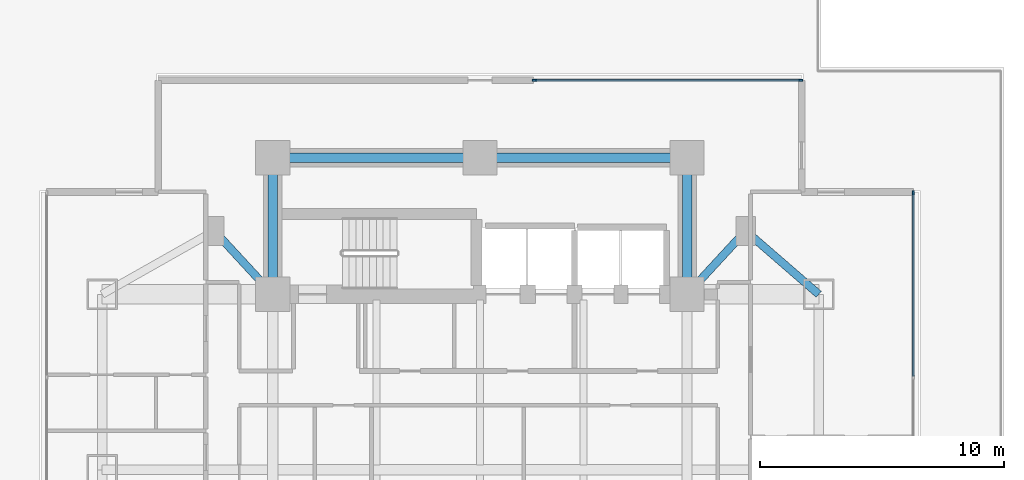
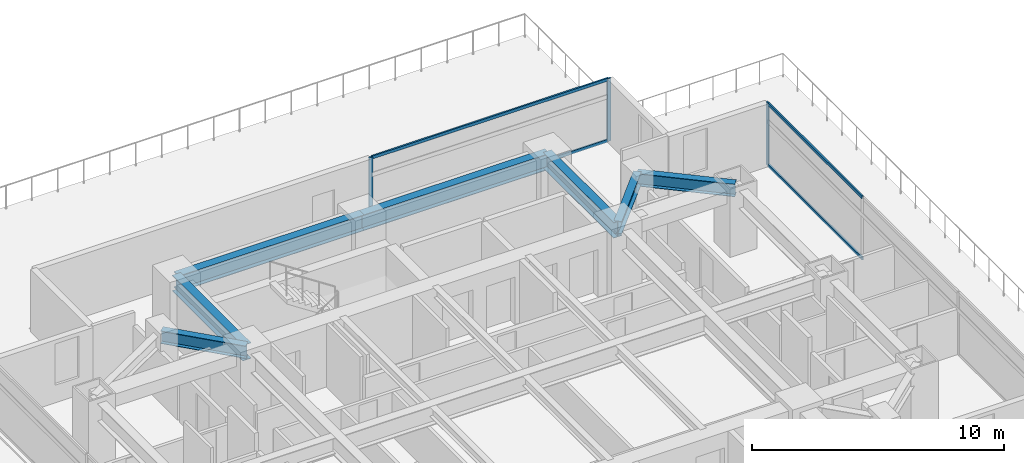
# One storey, part 10 of 26: 7 beams, 7 members, 2 elements without a shape of their own.
"""IFC4 building model written with IfcOpenShell, lengths in metres."""

import ifcopenshell
import ifcopenshell.guid

model = None  # the IFC model being written
_history = None  # IfcOwnerHistory: only IFC2X3 demands one
_inside = {}  # id of a spatial element -> (the spatial element, [elements in it])
_under = {}  # id of a project, library or spatial element -> (it, [spatial elements below it])
_declared = {}  # id of a project -> (the project, [libraries it declares])
_typed = {}  # id of a type object -> (the type object, [elements of that type])
_made_of = {}  # id of a material, layer set ... -> (it, [elements and type objects made of it])


def new_model(schema):
    """Start an empty IFC model of exactly this schema.

    Asked for "IFC4X3", IfcOpenShell would pick the latest addendum, in which some entities
    have other attributes; the version numbers below select the first issue.
    IFC2X3 requires an IfcOwnerHistory on every rooted entity: one is made here for all.
    """
    global model, _history
    if schema == "IFC4X3":
        model = ifcopenshell.file(schema_version=(4, 3, 0, 0))
    else:
        model = ifcopenshell.file(schema=schema)
    _inside.clear()
    _under.clear()
    _declared.clear()
    _typed.clear()
    _made_of.clear()
    _history = None
    if model.schema == "IFC2X3":
        org = make("IfcOrganization", Name="unknown")
        user = make(
            "IfcPersonAndOrganization",
            ThePerson=make("IfcPerson", FamilyName="unknown"),
            TheOrganization=org,
        )
        app = make(
            "IfcApplication",
            ApplicationDeveloper=org,
            Version="unknown",
            ApplicationFullName="unknown",
            ApplicationIdentifier="unknown",
        )
        _history = make(
            "IfcOwnerHistory",
            OwningUser=user,
            OwningApplication=app,
            ChangeAction="ADDED",
            CreationDate=0,
        )
    return model


def make(cls, **values):
    """One entity of the class cls with the attributes given. An attribute that is None is left unset."""
    return model.create_entity(
        cls, **{name: value for name, value in values.items() if value is not None}
    )


def rooted(cls, **values):
    """An entity with a GlobalId (a new one), such as an element, a storey or a relation."""
    return make(cls, GlobalId=ifcopenshell.guid.new(), OwnerHistory=_history, **values)


def si_unit(unit_type, name, prefix=None):
    """IfcSIUnit, for example si_unit("LENGTHUNIT", "METRE", prefix="MILLI")."""
    return make("IfcSIUnit", UnitType=unit_type, Prefix=prefix, Name=name)


def assignment(units):
    """IfcUnitAssignment: the units of a project."""
    return None if units is None else make("IfcUnitAssignment", Units=units)


def point(xyz):
    """IfcCartesianPoint."""
    return None if xyz is None else make("IfcCartesianPoint", Coordinates=xyz)


def direction(xyz):
    """IfcDirection."""
    return None if xyz is None else make("IfcDirection", DirectionRatios=xyz)


def frame(location, z_axis=None, x_axis=None):
    """IfcAxis2Placement3D, a coordinate frame: its origin and axes. An axis left out is left unset."""
    return make(
        "IfcAxis2Placement3D",
        Location=point(location),
        Axis=direction(z_axis),
        RefDirection=direction(x_axis),
    )


def frame_2d(location, x_axis=None):
    """IfcAxis2Placement2D, a coordinate frame in the plane: its origin and x axis."""
    return make(
        "IfcAxis2Placement2D", Location=point(location), RefDirection=direction(x_axis)
    )


def origin():
    """The frame at (0, 0, 0) with its axes left unset."""
    return frame((0.0, 0.0, 0.0))


def origin_2d():
    """The frame at (0, 0) in the plane with its x axis left unset."""
    return frame_2d((0.0, 0.0))


def place(relative_to, where):
    """IfcLocalPlacement: puts the frame where relative to a parent placement (None: the world)."""
    return make(
        "IfcLocalPlacement", PlacementRelTo=relative_to, RelativePlacement=where
    )


def context(
    kind, dimensions, precision=None, world=None, true_north=None, identifier=None
):
    """IfcGeometricRepresentationContext, for example the 3D "Model" context."""
    return make(
        "IfcGeometricRepresentationContext",
        ContextIdentifier=identifier,
        ContextType=kind,
        CoordinateSpaceDimension=dimensions,
        Precision=precision,
        WorldCoordinateSystem=world,
        TrueNorth=true_north,
    )


def subcontext(parent, identifier, kind, view, scale=None):
    """IfcGeometricRepresentationSubContext, for example "Body" below "Model"."""
    return make(
        "IfcGeometricRepresentationSubContext",
        ContextIdentifier=identifier,
        ContextType=kind,
        ParentContext=parent,
        TargetScale=scale,
        TargetView=view,
    )


def project(units=None, contexts=None):
    """IfcProject with its units and contexts."""
    return rooted(
        "IfcProject",
        Name="project",
        RepresentationContexts=contexts,
        UnitsInContext=assignment(units),
    )


def spatial(cls, under=None, at=None, **own):
    """A site, building, storey or space (cls), placed at a placement, below another one or the project."""
    s = rooted(cls, ObjectPlacement=at, **own)
    if under is not None:
        _under.setdefault(under.id(), (under, []))[1].append(s)
    return s


def profile(cls, at=None, kind="AREA", **sizes):
    """A parametric profile (cls). Its sizes go by their IFC names, for example OverallWidth=200.0."""
    return make(cls, ProfileType=kind, Position=at, **sizes)


def rectangle(**sizes):
    """IfcRectangleProfileDef."""
    return profile("IfcRectangleProfileDef", **sizes)


def i_section(**sizes):
    """IfcIShapeProfileDef."""
    return profile("IfcIShapeProfileDef", **sizes)


def extrude(swept, where, along, depth):
    """IfcExtrudedAreaSolid: the profile swept, set in the frame where, extruded along a direction by depth."""
    return make(
        "IfcExtrudedAreaSolid",
        SweptArea=swept,
        Position=where,
        ExtrudedDirection=direction(along),
        Depth=depth,
    )


def shape(context_of_items, identifier, shape_type, items):
    """IfcShapeRepresentation: the items that make up one representation, for example the "Body"."""
    return make(
        "IfcShapeRepresentation",
        ContextOfItems=context_of_items,
        RepresentationIdentifier=identifier,
        RepresentationType=shape_type,
        Items=items,
    )


def material(Name=None, Category=None):
    """IfcMaterial."""
    return make("IfcMaterial", Name=Name, Category=Category)


def material_profile(
    of_material, cross_section, Name=None, Category=None, Priority=None
):
    """IfcMaterialProfile: a cross section and its material."""
    return make(
        "IfcMaterialProfile",
        Name=Name,
        Material=of_material,
        Profile=cross_section,
        Priority=Priority,
        Category=Category,
    )


def profile_set(profiles, Name=None, composite=None):
    """IfcMaterialProfileSet."""
    return make(
        "IfcMaterialProfileSet",
        Name=Name,
        MaterialProfiles=profiles,
        CompositeProfile=composite,
    )


def made_of(thing, what):
    """Note that an element or type object is made of a material, layer set ...; save() writes the relation."""
    if what is not None:
        _made_of.setdefault(what.id(), (what, []))[1].append(thing)
    return thing


def type_object(cls, material=None, **own):
    """A type object (cls), such as IfcWallType, which elements share."""
    return made_of(rooted(cls, **own), material)


def element(
    cls,
    number,
    at=None,
    inside=None,
    cuts=None,
    type_object=None,
    material=None,
    context=None,
    identifier="Body",
    shape_type=None,
    held_by="IfcProductDefinitionShape",
    body=None,
    shapes=None,
    **own,
):
    """One element of the class cls, such as IfcWall. Its Tag is "e" and its number.

    at: its placement. inside: the storey or other place that contains it. cuts: it is an
    opening in that element (IfcRelVoidsElement). A single representation is given by context,
    identifier, shape_type and body (its items); several are given by shapes. held_by: the class
    of the entity that holds the representations. save() writes the other relations.
    """
    e = rooted(cls, Tag="e%d" % number, ObjectPlacement=at, **own)
    if body is not None:
        shapes = [shape(context, identifier, shape_type, body)]
    if shapes is not None:
        e.Representation = make(held_by, Representations=shapes)
    if inside is not None:
        _inside.setdefault(inside.id(), (inside, []))[1].append(e)
    if cuts is not None:
        rooted(
            "IfcRelVoidsElement", RelatingBuildingElement=cuts, RelatedOpeningElement=e
        )
    if type_object is not None:
        _typed.setdefault(type_object.id(), (type_object, []))[1].append(e)
    return made_of(e, material)


def aggregate(whole, parts):
    """IfcRelAggregates: a whole, such as a stair, and the parts it consists of."""
    return rooted("IfcRelAggregates", RelatingObject=whole, RelatedObjects=parts)


def save(model, path):
    """Write the relations noted so far, then the file.

    IfcRelAggregates (storeys below a building ...), IfcRelContainedInSpatialStructure (elements
    in a storey), IfcRelDefinesByType, IfcRelAssociatesMaterial and IfcRelDeclares: one each for
    every whole, place, type object, material and project.
    """
    for whole, parts in _under.values():
        aggregate(whole, parts)
    for where, things in _inside.values():
        rooted(
            "IfcRelContainedInSpatialStructure",
            RelatedElements=things,
            RelatingStructure=where,
        )
    for kind, things in _typed.values():
        rooted("IfcRelDefinesByType", RelatedObjects=things, RelatingType=kind)
    for what, things in _made_of.values():
        rooted("IfcRelAssociatesMaterial", RelatedObjects=things, RelatingMaterial=what)
    for by, libraries in _declared.values():
        rooted("IfcRelDeclares", RelatingContext=by, RelatedDefinitions=libraries)
    model.write(path)


model = new_model("IFC4")

# Units and contexts
model_context = context("Model", 3, precision=1e-05, world=origin(), true_north=direction((0.0, 1.0)))
body_context = subcontext(model_context, "Body", "Model", "MODEL_VIEW")
ifc_project = project(units=[si_unit("LENGTHUNIT", "METRE"), si_unit("AREAUNIT", "SQUARE_METRE"), si_unit("VOLUMEUNIT", "CUBIC_METRE"), si_unit("PLANEANGLEUNIT", "RADIAN"), si_unit("MASSUNIT", "GRAM", prefix="KILO")], contexts=[model_context])

# Site, building, storey
site_placement = place(None, origin())
site = spatial("IfcSite", under=ifc_project, at=site_placement, CompositionType="ELEMENT")
building_placement = place(site_placement, origin())
building = spatial("IfcBuilding", under=site, at=building_placement, Name="Mirazonda Arch Towers", CompositionType="ELEMENT")
storey_placement = place(building_placement, frame((0.0, 0.0, 22.39990234375)))
storey = spatial("IfcBuildingStorey", under=building, at=storey_placement, Name="L05", CompositionType="ELEMENT", Elevation=22.39990234375)

# Beams
ifc_material_1 = material(Name="Steel ASTM A992 Grade 50", Category="steel")
ifc_material_profile_1 = material_profile(ifc_material_1, i_section(OverallWidth=0.324951171875, OverallDepth=0.615966796875, WebThickness=0.013916015625, FlangeThickness=0.021484375, at=origin_2d()), Name="W24X117")
ifc_profile_set_1 = profile_set([ifc_material_profile_1], Name="Steel ASTM A992 Grade 50")
beam_type_1 = type_object("IfcBeamType", Name="BM-INT-W24X117", PredefinedType="BEAM", material=ifc_profile_set_1)
for number, where, z_axis, x_axis, name in (
    (1, (65.60009765625, 37.800048828125, 2.752197265625), (0.678251444854, -0.734829897019, 0.0), (0.734829897019, 0.678251444854, 0.0), "L05 Floor Beam BM-T2-L05-PL-NW1"),
    (2, (87.39990234375, 37.800048828125, 2.752197265625), (-0.678251444854, -0.734829897019, 0.0), (0.734829897019, -0.678251444854, 0.0), "L05 Floor Beam BM-T2-L05-PL-NE1"),
):
    element("IfcBeam", number, at=place(storey_placement, frame(where, z_axis=z_axis, x_axis=x_axis)), inside=storey, type_object=beam_type_1, Name=name, PredefinedType="BEAM", context=body_context, shape_type="SweptSolid", body=[
        extrude(i_section(OverallWidth=0.324951171875, OverallDepth=0.615966796875, WebThickness=0.013916015625, FlangeThickness=0.021484375, at=origin_2d()), origin(), (0.0, 0.0, 1.0), 3.538330078125),
    ])
beam_placement = place(storey_placement, frame((87.39990234375, 37.800048828125, 2.752197265625), z_axis=(0.755676908098, -0.654944585876, 0.0), x_axis=(0.654944585876, 0.755676908098, 0.0)))
element("IfcBeam", 3, at=beam_placement, inside=storey, type_object=beam_type_1, Name="L05 Floor Beam BM-T2-L05-PL-NE2", PredefinedType="BEAM", context=body_context, shape_type="SweptSolid", body=[
    extrude(i_section(OverallWidth=0.324951171875, OverallDepth=0.615966796875, WebThickness=0.013916015625, FlangeThickness=0.021484375, at=origin_2d()), origin(), (0.0, 0.0, 1.0), 3.969970703125),
])
ifc_material_profile_2 = material_profile(ifc_material_1, i_section(OverallWidth=0.381103515625, OverallDepth=0.77294921875, WebThickness=0.0166015625, FlangeThickness=0.027099609375, at=origin_2d()), Name="W30X173")
ifc_profile_set_2 = profile_set([ifc_material_profile_2], Name="Steel ASTM A992 Grade 50")
beam_type_2 = type_object("IfcBeamType", Name="BM-INT-W30X173", PredefinedType="USERDEFINED", material=ifc_profile_set_2)
for number, where, z_axis, x_axis, name in (
    (4, (68.0, 40.800048828125, 2.673583984375), (1.0, 0.0, 0.0), (0.0, 1.0, 0.0), "L05 Floor Beam BM-T2-L05-CN1"),
    (5, (76.5, 40.800048828125, 2.673583984375), (1.0, 0.0, 0.0), (0.0, 1.0, 0.0), "L05 Floor Beam BM-T2-L05-CN2"),
):
    element("IfcBeam", number, at=place(storey_placement, frame(where, z_axis=z_axis, x_axis=x_axis)), inside=storey, type_object=beam_type_2, Name=name, ObjectType="GIRDER", PredefinedType="USERDEFINED", context=body_context, shape_type="SweptSolid", body=[
        extrude(i_section(OverallWidth=0.381103515625, OverallDepth=0.77294921875, WebThickness=0.0166015625, FlangeThickness=0.027099609375, at=origin_2d()), origin(), (0.0, 0.0, 1.0), 8.5),
    ])
for number, where, z_axis, x_axis, name in (
    (6, (68.0, 35.199951171875, 2.673583984375), (0.0, 1.0, 0.0), (-1.0, 0.0, 0.0), "L05 Floor Beam BM-T2-L05-CNW"),
    (7, (85.0, 35.199951171875, 2.673583984375), (0.0, 1.0, 0.0), (-1.0, 0.0, 0.0), "L05 Floor Beam BM-T2-L05-CNE"),
):
    element("IfcBeam", number, at=place(storey_placement, frame(where, z_axis=z_axis, x_axis=x_axis)), inside=storey, type_object=beam_type_2, Name=name, ObjectType="GIRDER", PredefinedType="USERDEFINED", context=body_context, shape_type="SweptSolid", body=[
        extrude(i_section(OverallWidth=0.381103515625, OverallDepth=0.77294921875, WebThickness=0.0166015625, FlangeThickness=0.027099609375, at=origin_2d()), origin(), (0.0, 0.0, 1.0), 5.60009765625),
    ])

# Curtain wall, member
ifc_material_2 = material(Name="Anodised Aluminium and Low-E Glass", Category="aluminium")
curtain_wall_type = type_object("IfcCurtainWallType", Name="CW-HTL-UNIT", PredefinedType="NOTDEFINED", material=ifc_material_2)
curtain_wall_1_placement = place(storey_placement, origin())
curtain_wall_1 = element("IfcCurtainWall", 8, at=curtain_wall_1_placement, inside=storey, type_object=curtain_wall_type, Name="L05 T2 E Facade CW-L05-T2-E", PredefinedType="NOTDEFINED")
ifc_material_3 = material(Name="Anodised Aluminium Alloy", Category="aluminium")
ifc_material_profile_3 = material_profile(ifc_material_3, rectangle(XDim=0.074951171875, YDim=0.1650390625, at=origin_2d()), Name="ALU-MULL-75x165")
ifc_profile_set_3 = profile_set([ifc_material_profile_3], Name="Anodised Aluminium Alloy")
member_type_1 = type_object("IfcMemberType", Name="MULL-CW-HTL-UNIT", PredefinedType="MULLION", material=ifc_profile_set_3)
member_1_placement = place(storey_placement, frame((94.280029296875, 39.362548828125, 0.0), z_axis=(0.0, 0.0, 1.0), x_axis=(-1.0, 0.0, 0.0)))
member_1 = element("IfcMember", 9, at=member_1_placement, type_object=member_type_1, Name="CW-112 mullion 4", PredefinedType="MULLION", context=body_context, shape_type="SweptSolid", body=[
    extrude(rectangle(XDim=0.074951171875, YDim=0.1650390625, at=origin_2d()), origin(), (0.0, 0.0, 1.0), 3.0400390625),
])

# Curtain wall, members
curtain_wall_2_placement = place(storey_placement, origin())
curtain_wall_2 = element("IfcCurtainWall", 10, at=curtain_wall_2_placement, inside=storey, type_object=curtain_wall_type, Name="L05 Curtain Wall CW-L05-T2-N", PredefinedType="NOTDEFINED")
member_2_placement = place(storey_placement, frame((78.737548828125, 43.97998046875, 0.0), z_axis=(0.0, 0.0, 1.0), x_axis=(0.0, 1.0, 0.0)))
member_2 = element("IfcMember", 11, at=member_2_placement, type_object=member_type_1, Name="CW-112 mullion 1", PredefinedType="MULLION", context=body_context, shape_type="SweptSolid", body=[
    extrude(rectangle(XDim=0.074951171875, YDim=0.1650390625, at=origin_2d()), origin(), (0.0, 0.0, 1.0), 3.0400390625),
])
member_3_placement = place(storey_placement, frame((89.66259765625, 43.97998046875, 0.0), z_axis=(0.0, 0.0, 1.0), x_axis=(0.0, 1.0, 0.0)))
member_3 = element("IfcMember", 12, at=member_3_placement, type_object=member_type_1, Name="CW-112 mullion 2", PredefinedType="MULLION", context=body_context, shape_type="SweptSolid", body=[
    extrude(rectangle(XDim=0.074951171875, YDim=0.1650390625, at=origin_2d()), origin(), (0.0, 0.0, 1.0), 3.0400390625),
])

# Member
ifc_material_profile_4 = material_profile(ifc_material_3, rectangle(XDim=0.074951171875, YDim=0.14501953125, at=origin_2d()), Name="ALU-TRAN-75x145")
ifc_profile_set_4 = profile_set([ifc_material_profile_4], Name="Anodised Aluminium Alloy")
member_type_2 = type_object("IfcMemberType", Name="TRAN-CW-HTL-UNIT", PredefinedType="USERDEFINED", material=ifc_profile_set_4)
member_4_placement = place(storey_placement, frame((94.280029296875, 31.83740234375, 0.03759765625), z_axis=(0.0, 1.0, 0.0), x_axis=(-1.0, 0.0, 0.0)))
member_4 = element("IfcMember", 13, at=member_4_placement, type_object=member_type_2, Name="CW-112 transom 3.1", ObjectType="TRANSOM", PredefinedType="USERDEFINED", context=body_context, shape_type="SweptSolid", body=[
    extrude(rectangle(XDim=0.074951171875, YDim=0.14501953125, at=origin_2d()), origin(), (0.0, 0.0, 1.0), 7.487548828125),
])

member_5_placement = place(storey_placement, frame((94.280029296875, 31.83740234375, 3.002685546875), z_axis=(0.0, 1.0, 0.0), x_axis=(-1.0, 0.0, 0.0)))
member_5 = element("IfcMember", 14, at=member_5_placement, type_object=member_type_2, Name="CW-112 transom 3.2", ObjectType="TRANSOM", PredefinedType="USERDEFINED", context=body_context, shape_type="SweptSolid", body=[
    extrude(rectangle(XDim=0.074951171875, YDim=0.14501953125, at=origin_2d()), origin(), (0.0, 0.0, 1.0), 7.487548828125),
])

aggregate(curtain_wall_1, [member_1, member_4, member_5])

member_6_placement = place(storey_placement, frame((78.77490234375, 43.97998046875, 0.03759765625), z_axis=(1.0, 0.0, 0.0), x_axis=(0.0, 1.0, 0.0)))
member_6 = element("IfcMember", 15, at=member_6_placement, type_object=member_type_2, Name="CW-112 transom 1.1", ObjectType="TRANSOM", PredefinedType="USERDEFINED", context=body_context, shape_type="SweptSolid", body=[
    extrude(rectangle(XDim=0.074951171875, YDim=0.14501953125, at=origin_2d()), origin(), (0.0, 0.0, 1.0), 10.85009765625),
])

member_7_placement = place(storey_placement, frame((78.77490234375, 43.97998046875, 3.002685546875), z_axis=(1.0, 0.0, 0.0), x_axis=(0.0, 1.0, 0.0)))
member_7 = element("IfcMember", 16, at=member_7_placement, type_object=member_type_2, Name="CW-112 transom 1.2", ObjectType="TRANSOM", PredefinedType="USERDEFINED", context=body_context, shape_type="SweptSolid", body=[
    extrude(rectangle(XDim=0.074951171875, YDim=0.14501953125, at=origin_2d()), origin(), (0.0, 0.0, 1.0), 10.85009765625),
])

aggregate(curtain_wall_2, [member_2, member_3, member_6, member_7])

save(model, "model.ifc")
